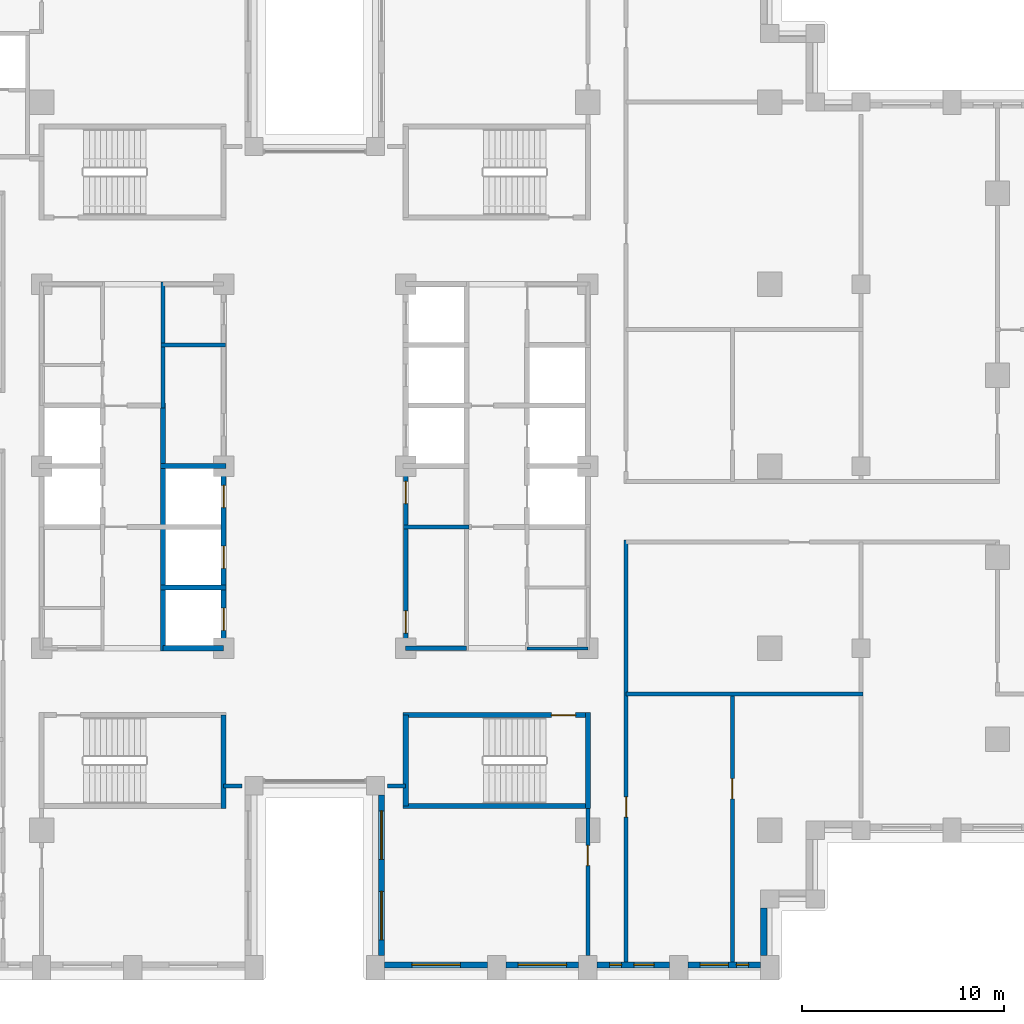
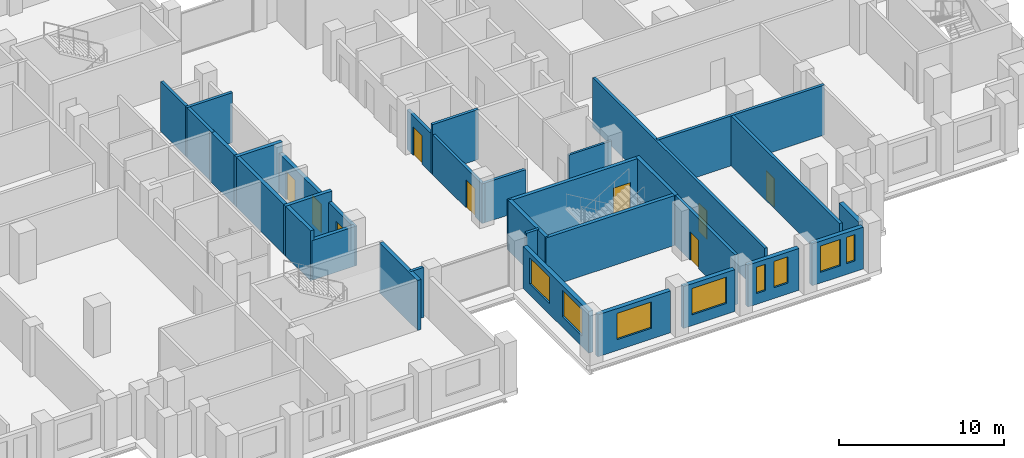
# One storey, part 8 of 16: 28 walls, 9 doors, 8 windows, 17 openings.
"""IFC4 building model written with IfcOpenShell, lengths in metres."""

from ifc_helpers import new_model, si_unit, direction, frame, frame_2d, origin, place, context, subcontext, project, spatial, rectangle, extrude, material, layer, layer_set, type_object, element, fill, save


model = new_model("IFC4")

# Units and contexts
model_context = context("Model", 3, precision=1e-05, world=origin(), true_north=direction((0.0, 1.0)))
body_context = subcontext(model_context, "Body", "Model", "MODEL_VIEW")
ifc_project = project(units=[si_unit("LENGTHUNIT", "METRE"), si_unit("AREAUNIT", "SQUARE_METRE"), si_unit("VOLUMEUNIT", "CUBIC_METRE"), si_unit("PLANEANGLEUNIT", "RADIAN"), si_unit("MASSUNIT", "GRAM", prefix="KILO")], contexts=[model_context])

# Site, building, storey
site_placement = place(None, origin())
site = spatial("IfcSite", under=ifc_project, at=site_placement, CompositionType="ELEMENT")
building_placement = place(site_placement, origin())
building = spatial("IfcBuilding", under=site, at=building_placement, Name="Corbelhall Arena Tower", CompositionType="ELEMENT")
storey_placement = place(building_placement, frame((0.0, 0.0, 76.0)))
storey = spatial("IfcBuildingStorey", under=building, at=storey_placement, Name="L11", CompositionType="ELEMENT", Elevation=76.0)

# Wall, openings, windows
ifc_material_1 = material(Name="Precast concrete C40/50 with granite facing", Category="masonry")
ifc_layer_1 = layer(ifc_material_1, 0.300048828125)
ifc_layer_set_1 = layer_set([ifc_layer_1], Name="EV-IW1 Infill panel 300")
wall_type_1 = type_object("IfcWallType", Name="EV-IW1 Infill panel 300", PredefinedType="SOLIDWALL", material=ifc_layer_set_1)
wall_1_placement = place(storey_placement, frame((3.300048828125, -16.25, 0.0), z_axis=(0.0, 0.0, 1.0), x_axis=(0.0, -1.0, 0.0)))
wall_1 = element("IfcWall", 1, at=wall_1_placement, inside=storey, type_object=wall_type_1, Name="Infill panel IW1", PredefinedType="SOLIDWALL", context=body_context, shape_type="SweptSolid", body=[
    extrude(rectangle(XDim=7.949951171875, YDim=0.300048828125, at=frame_2d((3.97509765625, 0.0))), origin(), (0.0, 0.0, 1.0), 3.10009765625),
])
opening_1_placement = place(wall_1_placement, frame((0.78759765625, 0.0, 0.800048828125)))
opening_1 = element("IfcOpeningElement", 2, at=opening_1_placement, cuts=wall_1, Name="Opening WN1", PredefinedType="OPENING", context=body_context, shape_type="SweptSolid", body=[
    extrude(rectangle(XDim=2.39990234375, YDim=1.949951171875, at=frame_2d((1.199951171875, 0.97509765625))), frame((0.0, 0.14990234375, 0.0), z_axis=(0.0, -1.0, 0.0), x_axis=(1.0, 0.0, 0.0)), (0.0, 0.0, 1.0), 0.300048828125),
])
opening_2_placement = place(wall_1_placement, frame((4.762451171875, 0.0, 0.800048828125)))
opening_2 = element("IfcOpeningElement", 3, at=opening_2_placement, cuts=wall_1, Name="Opening WN1", PredefinedType="OPENING", context=body_context, shape_type="SweptSolid", body=[
    extrude(rectangle(XDim=2.39990234375, YDim=1.949951171875, at=frame_2d((1.199951171875, 0.97509765625))), frame((0.0, 0.14990234375, 0.0), z_axis=(0.0, -1.0, 0.0), x_axis=(1.0, 0.0, 0.0)), (0.0, 0.0, 1.0), 0.300048828125),
])
ifc_material_2 = material(Name="Aluminium black anodised", Category="aluminium")
window_type_1 = type_object("IfcWindowType", Name="EV-WN1 Office window", PartitioningType="SINGLE_PANEL", PredefinedType="WINDOW", material=ifc_material_2)
window_1_placement = place(opening_1_placement, origin())
window_1 = element("IfcWindow", 4, at=window_1_placement, inside=storey, type_object=window_type_1, Name="Window WN1", OverallHeight=1.949951171875, OverallWidth=2.39990234375, PartitioningType="SINGLE_PANEL", PredefinedType="WINDOW", context=body_context, shape_type="SweptSolid", body=[
    extrude(rectangle(XDim=2.39990234375, YDim=1.949951171875, at=frame_2d((1.199951171875, 0.97509765625))), frame((0.0, 0.030029296875, 0.0), z_axis=(0.0, -1.0, 0.0), x_axis=(1.0, 0.0, 0.0)), (0.0, 0.0, 1.0), 0.06005859375),
])
fill(opening_1, window_1)
window_2_placement = place(opening_2_placement, origin())
window_2 = element("IfcWindow", 5, at=window_2_placement, inside=storey, type_object=window_type_1, Name="Window WN1", OverallHeight=1.949951171875, OverallWidth=2.39990234375, PartitioningType="SINGLE_PANEL", PredefinedType="WINDOW", context=body_context, shape_type="SweptSolid", body=[
    extrude(rectangle(XDim=2.39990234375, YDim=1.949951171875, at=frame_2d((1.199951171875, 0.97509765625))), frame((0.0, 0.030029296875, 0.0), z_axis=(0.0, -1.0, 0.0), x_axis=(1.0, 0.0, 0.0)), (0.0, 0.0, 1.0), 0.06005859375),
])
fill(opening_2, window_2)

# Wall, opening, window
wall_2_placement = place(storey_placement, frame((3.449951171875, -24.64990234375, 0.0), z_axis=(0.0, 0.0, 1.0), x_axis=(1.0, 0.0, 0.0)))
wall_2 = element("IfcWall", 6, at=wall_2_placement, inside=storey, type_object=wall_type_1, Name="Infill panel IW1", PredefinedType="SOLIDWALL", context=body_context, shape_type="SweptSolid", body=[
    extrude(rectangle(XDim=5.10009765625, YDim=0.300048828125, at=frame_2d((2.550048828125, 0.0))), origin(), (0.0, 0.0, 1.0), 3.10009765625),
])
opening_3_placement = place(wall_2_placement, frame((1.35009765625, 0.0, 0.800048828125)))
opening_3 = element("IfcOpeningElement", 7, at=opening_3_placement, cuts=wall_2, Name="Opening WN1", PredefinedType="OPENING", context=body_context, shape_type="SweptSolid", body=[
    extrude(rectangle(XDim=2.39990234375, YDim=1.949951171875, at=frame_2d((1.199951171875, 0.97509765625))), frame((0.0, 0.14990234375, 0.0), z_axis=(0.0, -1.0, 0.0), x_axis=(1.0, 0.0, 0.0)), (0.0, 0.0, 1.0), 0.300048828125),
])
window_3_placement = place(opening_3_placement, origin())
window_3 = element("IfcWindow", 8, at=window_3_placement, inside=storey, type_object=window_type_1, Name="Window WN1", OverallHeight=1.949951171875, OverallWidth=2.39990234375, PartitioningType="SINGLE_PANEL", PredefinedType="WINDOW", context=body_context, shape_type="SweptSolid", body=[
    extrude(rectangle(XDim=2.39990234375, YDim=1.949951171875, at=frame_2d((1.199951171875, 0.97509765625))), frame((0.0, 0.030029296875, 0.0), z_axis=(0.0, -1.0, 0.0), x_axis=(1.0, 0.0, 0.0)), (0.0, 0.0, 1.0), 0.06005859375),
])
fill(opening_3, window_3)

wall_3_placement = place(storey_placement, frame((9.449951171875, -24.64990234375, 0.0), z_axis=(0.0, 0.0, 1.0), x_axis=(1.0, 0.0, 0.0)))
wall_3 = element("IfcWall", 9, at=wall_3_placement, inside=storey, type_object=wall_type_1, Name="Infill panel IW1", PredefinedType="SOLIDWALL", context=body_context, shape_type="SweptSolid", body=[
    extrude(rectangle(XDim=3.60009765625, YDim=0.300048828125, at=frame_2d((1.800048828125, 0.0))), origin(), (0.0, 0.0, 1.0), 3.10009765625),
])
opening_4_placement = place(wall_3_placement, frame((0.60009765625, 0.0, 0.800048828125)))
opening_4 = element("IfcOpeningElement", 10, at=opening_4_placement, cuts=wall_3, Name="Opening WN1", PredefinedType="OPENING", context=body_context, shape_type="SweptSolid", body=[
    extrude(rectangle(XDim=2.39990234375, YDim=1.949951171875, at=frame_2d((1.199951171875, 0.97509765625))), frame((0.0, 0.14990234375, 0.0), z_axis=(0.0, -1.0, 0.0), x_axis=(1.0, 0.0, 0.0)), (0.0, 0.0, 1.0), 0.300048828125),
])
window_4_placement = place(opening_4_placement, origin())
window_4 = element("IfcWindow", 11, at=window_4_placement, inside=storey, type_object=window_type_1, Name="Window WN1", OverallHeight=1.949951171875, OverallWidth=2.39990234375, PartitioningType="SINGLE_PANEL", PredefinedType="WINDOW", context=body_context, shape_type="SweptSolid", body=[
    extrude(rectangle(XDim=2.39990234375, YDim=1.949951171875, at=frame_2d((1.199951171875, 0.97509765625))), frame((0.0, 0.030029296875, 0.0), z_axis=(0.0, -1.0, 0.0), x_axis=(1.0, 0.0, 0.0)), (0.0, 0.0, 1.0), 0.06005859375),
])
fill(opening_4, window_4)

# Wall, openings, windows
wall_4_placement = place(storey_placement, frame((13.949951171875, -24.64990234375, 0.0), z_axis=(0.0, 0.0, 1.0), x_axis=(1.0, 0.0, 0.0)))
wall_4 = element("IfcWall", 12, at=wall_4_placement, inside=storey, type_object=wall_type_1, Name="Infill panel IW1", PredefinedType="SOLIDWALL", context=body_context, shape_type="SweptSolid", body=[
    extrude(rectangle(XDim=3.60009765625, YDim=0.300048828125, at=frame_2d((1.800048828125, 0.0))), origin(), (0.0, 0.0, 1.0), 3.10009765625),
])
opening_5_placement = place(wall_4_placement, frame((0.625, 0.0, 0.800048828125)))
opening_5 = element("IfcOpeningElement", 13, at=opening_5_placement, cuts=wall_4, Name="Opening WN5", PredefinedType="OPENING", context=body_context, shape_type="SweptSolid", body=[
    extrude(rectangle(XDim=0.60009765625, YDim=1.949951171875, at=frame_2d((0.300048828125, 0.97509765625))), frame((0.0, 0.14990234375, 0.0), z_axis=(0.0, -1.0, 0.0), x_axis=(1.0, 0.0, 0.0)), (0.0, 0.0, 1.0), 0.300048828125),
])
opening_6_placement = place(wall_4_placement, frame((1.824951171875, 0.0, 0.800048828125)))
opening_6 = element("IfcOpeningElement", 14, at=opening_6_placement, cuts=wall_4, Name="Opening WN6", PredefinedType="OPENING", context=body_context, shape_type="SweptSolid", body=[
    extrude(rectangle(XDim=1.0, YDim=1.949951171875, at=frame_2d((0.5, 0.97509765625))), frame((0.0, 0.14990234375, 0.0), z_axis=(0.0, -1.0, 0.0), x_axis=(1.0, 0.0, 0.0)), (0.0, 0.0, 1.0), 0.300048828125),
])
window_type_2 = type_object("IfcWindowType", Name="EV-WN5 Office window 600", PartitioningType="SINGLE_PANEL", PredefinedType="WINDOW", material=ifc_material_2)
window_5_placement = place(opening_5_placement, origin())
window_5 = element("IfcWindow", 15, at=window_5_placement, inside=storey, type_object=window_type_2, Name="Window WN5", OverallHeight=1.949951171875, OverallWidth=0.60009765625, PartitioningType="SINGLE_PANEL", PredefinedType="WINDOW", context=body_context, shape_type="SweptSolid", body=[
    extrude(rectangle(XDim=0.60009765625, YDim=1.949951171875, at=frame_2d((0.300048828125, 0.97509765625))), frame((0.0, 0.030029296875, 0.0), z_axis=(0.0, -1.0, 0.0), x_axis=(1.0, 0.0, 0.0)), (0.0, 0.0, 1.0), 0.06005859375),
])
fill(opening_5, window_5)
window_type_3 = type_object("IfcWindowType", Name="EV-WN6 Office window 1000", PartitioningType="SINGLE_PANEL", PredefinedType="WINDOW", material=ifc_material_2)
window_6_placement = place(opening_6_placement, origin())
window_6 = element("IfcWindow", 16, at=window_6_placement, inside=storey, type_object=window_type_3, Name="Window WN6", OverallHeight=1.949951171875, OverallWidth=1.0, PartitioningType="SINGLE_PANEL", PredefinedType="WINDOW", context=body_context, shape_type="SweptSolid", body=[
    extrude(rectangle(XDim=1.0, YDim=1.949951171875, at=frame_2d((0.5, 0.97509765625))), frame((0.0, 0.030029296875, 0.0), z_axis=(0.0, -1.0, 0.0), x_axis=(1.0, 0.0, 0.0)), (0.0, 0.0, 1.0), 0.06005859375),
])
fill(opening_6, window_6)

wall_5_placement = place(storey_placement, frame((18.449951171875, -24.64990234375, 0.0), z_axis=(0.0, 0.0, 1.0), x_axis=(1.0, 0.0, 0.0)))
wall_5 = element("IfcWall", 17, at=wall_5_placement, inside=storey, type_object=wall_type_1, Name="Infill panel IW1", PredefinedType="SOLIDWALL", context=body_context, shape_type="SweptSolid", body=[
    extrude(rectangle(XDim=3.60009765625, YDim=0.300048828125, at=frame_2d((1.800048828125, 0.0))), origin(), (0.0, 0.0, 1.0), 3.10009765625),
])
opening_7_placement = place(wall_5_placement, frame((0.60009765625, 0.0, 0.800048828125)))
opening_7 = element("IfcOpeningElement", 18, at=opening_7_placement, cuts=wall_5, Name="Opening WN7", PredefinedType="OPENING", context=body_context, shape_type="SweptSolid", body=[
    extrude(rectangle(XDim=1.39990234375, YDim=1.949951171875, at=frame_2d((0.699951171875, 0.97509765625))), frame((0.0, 0.14990234375, 0.0), z_axis=(0.0, -1.0, 0.0), x_axis=(1.0, 0.0, 0.0)), (0.0, 0.0, 1.0), 0.300048828125),
])
opening_8_placement = place(wall_5_placement, frame((2.39990234375, 0.0, 0.800048828125)))
opening_8 = element("IfcOpeningElement", 19, at=opening_8_placement, cuts=wall_5, Name="Opening WN5", PredefinedType="OPENING", context=body_context, shape_type="SweptSolid", body=[
    extrude(rectangle(XDim=0.60009765625, YDim=1.949951171875, at=frame_2d((0.300048828125, 0.97509765625))), frame((0.0, 0.14990234375, 0.0), z_axis=(0.0, -1.0, 0.0), x_axis=(1.0, 0.0, 0.0)), (0.0, 0.0, 1.0), 0.300048828125),
])
window_7_placement = place(opening_8_placement, origin())
window_7 = element("IfcWindow", 20, at=window_7_placement, inside=storey, type_object=window_type_2, Name="Window WN5", OverallHeight=1.949951171875, OverallWidth=0.60009765625, PartitioningType="SINGLE_PANEL", PredefinedType="WINDOW", context=body_context, shape_type="SweptSolid", body=[
    extrude(rectangle(XDim=0.60009765625, YDim=1.949951171875, at=frame_2d((0.300048828125, 0.97509765625))), frame((0.0, 0.030029296875, 0.0), z_axis=(0.0, -1.0, 0.0), x_axis=(1.0, 0.0, 0.0)), (0.0, 0.0, 1.0), 0.06005859375),
])
fill(opening_8, window_7)
window_type_4 = type_object("IfcWindowType", Name="EV-WN7 Office window 1400", PartitioningType="SINGLE_PANEL", PredefinedType="WINDOW", material=ifc_material_2)
window_8_placement = place(opening_7_placement, origin())
window_8 = element("IfcWindow", 21, at=window_8_placement, inside=storey, type_object=window_type_4, Name="Window WN7", OverallHeight=1.949951171875, OverallWidth=1.39990234375, PartitioningType="SINGLE_PANEL", PredefinedType="WINDOW", context=body_context, shape_type="SweptSolid", body=[
    extrude(rectangle(XDim=1.39990234375, YDim=1.949951171875, at=frame_2d((0.699951171875, 0.97509765625))), frame((0.0, 0.030029296875, 0.0), z_axis=(0.0, -1.0, 0.0), x_axis=(1.0, 0.0, 0.0)), (0.0, 0.0, 1.0), 0.06005859375),
])
fill(opening_7, window_8)

# Walls
wall_6_placement = place(storey_placement, frame((22.199951171875, -24.199951171875, 0.0), z_axis=(0.0, 0.0, 1.0), x_axis=(0.0, 1.0, 0.0)))
element("IfcWall", 22, at=wall_6_placement, inside=storey, type_object=wall_type_1, Name="Infill panel IW1", PredefinedType="SOLIDWALL", context=body_context, shape_type="SweptSolid", body=[
    extrude(rectangle(XDim=2.349853515625, YDim=0.300048828125, at=frame_2d((1.1748046875, 0.0))), origin(), (0.0, 0.0, 1.0), 3.10009765625),
])
ifc_material_3 = material(Name="Gypsum board on steel stud, acoustic", Category="steel")
ifc_layer_2 = layer(ifc_material_3, 0.199951171875)
ifc_layer_set_2 = layer_set([ifc_layer_2], Name="IN-W-DM200")
wall_type_2 = type_object("IfcWallType", Name="IN-W-DM200", PredefinedType="PARTITIONING", material=ifc_layer_set_2)
for number, where, z_axis, x_axis, name in (
    (23, (-3.60009765625, -15.800048828125, 0.0), (0.0, 0.0, 1.0), (-1.0, 0.0, 0.0), "Partition 024"),
    (24, (4.5, -15.800048828125, 0.0), (0.0, 0.0, 1.0), (-1.0, 0.0, 0.0), "Partition 026"),
):
    element("IfcWall", number, at=place(storey_placement, frame(where, z_axis=z_axis, x_axis=x_axis)), inside=storey, type_object=wall_type_2, Name=name, PredefinedType="PARTITIONING", context=body_context, shape_type="SweptSolid", body=[
        extrude(rectangle(XDim=0.89990234375, YDim=0.199951171875, at=frame_2d((0.449951171875, 0.0))), origin(), (0.0, 0.0, 1.0), 3.699951171875),
    ])

# Wall, opening, door
wall_7_placement = place(storey_placement, frame((13.5, -24.199951171875, 0.0), z_axis=(0.0, 0.0, 1.0), x_axis=(0.0, 1.0, 0.0)))
wall_7 = element("IfcWall", 25, at=wall_7_placement, inside=storey, type_object=wall_type_2, Name="Partition 027", PredefinedType="PARTITIONING", context=body_context, shape_type="SweptSolid", body=[
    extrude(rectangle(XDim=7.52490234375, YDim=0.199951171875, at=frame_2d((3.762451171875, 0.0))), origin(), (0.0, 0.0, 1.0), 3.699951171875),
])
opening_9_placement = place(wall_7_placement, frame((4.449951171875, 0.0, 0.0)))
opening_9 = element("IfcOpeningElement", 26, at=opening_9_placement, cuts=wall_7, Name="Opening 01026", PredefinedType="OPENING", context=body_context, shape_type="SweptSolid", body=[
    extrude(rectangle(XDim=1.0, YDim=2.10009765625, at=frame_2d((0.5, 1.050048828125))), frame((0.0, 0.10009765625, 0.0), z_axis=(0.0, -1.0, 0.0), x_axis=(1.0, 0.0, 0.0)), (0.0, 0.0, 1.0), 0.199951171875),
])
ifc_material_4 = material(Name="Steel door set", Category="steel")
door_type_1 = type_object("IfcDoorType", Name="IN-D-SW100", OperationType="NOTDEFINED", PredefinedType="DOOR", material=ifc_material_4)
door_1_placement = place(opening_9_placement, origin())
door_1 = element("IfcDoor", 27, at=door_1_placement, inside=storey, type_object=door_type_1, Name="Door 026", OperationType="SINGLE_SWING_LEFT", OverallHeight=2.10009765625, OverallWidth=1.0, PredefinedType="DOOR", context=body_context, shape_type="SweptSolid", body=[
    extrude(rectangle(XDim=1.0, YDim=2.10009765625, at=frame_2d((0.5, 1.050048828125))), frame((0.0, 0.02490234375, 0.0), z_axis=(0.0, -1.0, 0.0), x_axis=(1.0, 0.0, 0.0)), (0.0, 0.0, 1.0), 0.050048828125),
])
fill(opening_9, door_1)

# Wall
wall_8_placement = place(storey_placement, frame((15.39990234375, -11.25, 0.0), z_axis=(0.0, 0.0, 1.0), x_axis=(1.0, 0.0, 0.0)))
element("IfcWall", 28, at=wall_8_placement, inside=storey, type_object=wall_type_2, Name="Partition 029", PredefinedType="PARTITIONING", context=body_context, shape_type="SweptSolid", body=[
    extrude(rectangle(XDim=11.7001953125, YDim=0.199951171875, at=frame_2d((5.85009765625, 0.0))), origin(), (0.0, 0.0, 1.0), 3.699951171875),
])

# Wall, opening, door
wall_9_placement = place(storey_placement, frame((15.39990234375, -3.64990234375, 0.0), z_axis=(0.0, 0.0, 1.0), x_axis=(0.0, -1.0, 0.0)))
wall_9 = element("IfcWall", 29, at=wall_9_placement, inside=storey, type_object=wall_type_2, Name="Partition 030", PredefinedType="PARTITIONING", context=body_context, shape_type="SweptSolid", body=[
    extrude(rectangle(XDim=20.85009765625, YDim=0.199951171875, at=frame_2d((10.425048828125, 0.0))), origin(), (0.0, 0.0, 1.0), 3.699951171875),
])
opening_10_placement = place(wall_9_placement, frame((12.699951171875, 0.0, 0.0)))
opening_10 = element("IfcOpeningElement", 30, at=opening_10_placement, cuts=wall_9, Name="Opening 01037", PredefinedType="OPENING", context=body_context, shape_type="SweptSolid", body=[
    extrude(rectangle(XDim=1.0, YDim=2.10009765625, at=frame_2d((0.5, 1.050048828125))), frame((0.0, 0.10009765625, 0.0), z_axis=(0.0, -1.0, 0.0), x_axis=(1.0, 0.0, 0.0)), (0.0, 0.0, 1.0), 0.199951171875),
])
door_2_placement = place(opening_10_placement, origin())
door_2 = element("IfcDoor", 31, at=door_2_placement, inside=storey, type_object=door_type_1, Name="Door 037", OperationType="SINGLE_SWING_RIGHT", OverallHeight=2.10009765625, OverallWidth=1.0, PredefinedType="DOOR", context=body_context, shape_type="SweptSolid", body=[
    extrude(rectangle(XDim=1.0, YDim=2.10009765625, at=frame_2d((0.5, 1.050048828125))), frame((0.0, 0.02490234375, 0.0), z_axis=(0.0, -1.0, 0.0), x_axis=(1.0, 0.0, 0.0)), (0.0, 0.0, 1.0), 0.050048828125),
])
fill(opening_10, door_2)

wall_10_placement = place(storey_placement, frame((20.64990234375, -11.14990234375, 0.0), z_axis=(0.0, 0.0, 1.0), x_axis=(0.0, -1.0, 0.0)))
wall_10 = element("IfcWall", 32, at=wall_10_placement, inside=storey, type_object=wall_type_2, Name="Partition 035", PredefinedType="PARTITIONING", context=body_context, shape_type="SweptSolid", body=[
    extrude(rectangle(XDim=13.35009765625, YDim=0.199951171875, at=frame_2d((6.675048828125, 0.0))), origin(), (0.0, 0.0, 1.0), 3.699951171875),
])
opening_11_placement = place(wall_10_placement, frame((4.300048828125, 0.0, 0.0)))
opening_11 = element("IfcOpeningElement", 33, at=opening_11_placement, cuts=wall_10, Name="Opening 01038", PredefinedType="OPENING", context=body_context, shape_type="SweptSolid", body=[
    extrude(rectangle(XDim=1.0, YDim=2.10009765625, at=frame_2d((0.5, 1.050048828125))), frame((0.0, 0.10009765625, 0.0), z_axis=(0.0, -1.0, 0.0), x_axis=(1.0, 0.0, 0.0)), (0.0, 0.0, 1.0), 0.199951171875),
])
door_3_placement = place(opening_11_placement, origin())
door_3 = element("IfcDoor", 34, at=door_3_placement, inside=storey, type_object=door_type_1, Name="Door 038", OperationType="SINGLE_SWING_LEFT", OverallHeight=2.10009765625, OverallWidth=1.0, PredefinedType="DOOR", context=body_context, shape_type="SweptSolid", body=[
    extrude(rectangle(XDim=1.0, YDim=2.10009765625, at=frame_2d((0.5, 1.050048828125))), frame((0.0, 0.02490234375, 0.0), z_axis=(0.0, -1.0, 0.0), x_axis=(1.0, 0.0, 0.0)), (0.0, 0.0, 1.0), 0.050048828125),
])
fill(opening_11, door_3)

# Walls
ifc_material_5 = material(Name="Concrete block wall", Category="concrete")
ifc_layer_3 = layer(ifc_material_5, 0.199951171875)
ifc_layer_set_3 = layer_set([ifc_layer_3], Name="IN-W-RS200")
wall_type_3 = type_object("IfcWallType", Name="IN-W-RS200", PredefinedType="SOLIDWALL", material=ifc_layer_set_3)
wall_11_placement = place(storey_placement, frame((-7.60009765625, 6.0, 0.0), z_axis=(0.0, 0.0, 1.0), x_axis=(1.0, 0.0, 0.0)))
element("IfcWall", 35, at=wall_11_placement, inside=storey, type_object=wall_type_3, Name="Partition 049", PredefinedType="SOLIDWALL", context=body_context, shape_type="SweptSolid", body=[
    extrude(rectangle(XDim=3.2001953125, YDim=0.199951171875, at=frame_2d((1.60009765625, 0.0))), origin(), (0.0, 0.0, 1.0), 3.699951171875),
])
wall_12_placement = place(storey_placement, frame((-7.5, 2.875, 0.0), z_axis=(0.0, 0.0, 1.0), x_axis=(0.0, 1.0, 0.0)))
element("IfcWall", 36, at=wall_12_placement, inside=storey, type_object=wall_type_3, Name="Partition 050", PredefinedType="SOLIDWALL", context=body_context, shape_type="SweptSolid", body=[
    extrude(rectangle(XDim=6.22509765625, YDim=0.199951171875, at=frame_2d((3.112548828125, 0.0))), origin(), (0.0, 0.0, 1.0), 3.699951171875),
])
wall_13_placement = place(storey_placement, frame((4.39990234375, -3.0, 0.0), z_axis=(0.0, 0.0, 1.0), x_axis=(1.0, 0.0, 0.0)))
element("IfcWall", 37, at=wall_13_placement, inside=storey, type_object=wall_type_3, Name="Partition 053", PredefinedType="SOLIDWALL", context=body_context, shape_type="SweptSolid", body=[
    extrude(rectangle(XDim=3.22509765625, YDim=0.199951171875, at=frame_2d((1.612548828125, 0.0))), origin(), (0.0, 0.0, 1.0), 3.699951171875),
])

# Wall, openings, doors
ifc_layer_4 = layer(ifc_material_5, 0.199951171875)
ifc_layer_set_4 = layer_set([ifc_layer_4], Name="IN-W-RS200 under beam 762 mm")
wall_type_4 = type_object("IfcWallType", Name="IN-W-RS200 under beam 762 mm", PredefinedType="SOLIDWALL", material=ifc_layer_set_4)
wall_14_placement = place(storey_placement, frame((4.5, -9.10009765625, 0.0), z_axis=(0.0, 0.0, 1.0), x_axis=(0.0, 1.0, 0.0)))
wall_14 = element("IfcWall", 38, at=wall_14_placement, inside=storey, type_object=wall_type_4, Name="Partition 054", PredefinedType="SOLIDWALL", context=body_context, shape_type="SweptSolid", body=[
    extrude(rectangle(XDim=9.10009765625, YDim=0.199951171875, at=frame_2d((4.550048828125, 0.0))), origin(), (0.0, 0.0, 1.0), 2.93798828125),
])
opening_12_placement = place(wall_14_placement, frame((0.85009765625, 0.0, 0.0)))
opening_12 = element("IfcOpeningElement", 39, at=opening_12_placement, cuts=wall_14, Name="Opening 01008", PredefinedType="OPENING", context=body_context, shape_type="SweptSolid", body=[
    extrude(rectangle(XDim=1.10009765625, YDim=2.10009765625, at=frame_2d((0.550048828125, 1.050048828125))), frame((0.0, 0.10009765625, 0.0), z_axis=(0.0, -1.0, 0.0), x_axis=(1.0, 0.0, 0.0)), (0.0, 0.0, 1.0), 0.199951171875),
])
opening_13_placement = place(wall_14_placement, frame((7.25, 0.0, 0.0)))
opening_13 = element("IfcOpeningElement", 40, at=opening_13_placement, cuts=wall_14, Name="Opening 01009", PredefinedType="OPENING", context=body_context, shape_type="SweptSolid", body=[
    extrude(rectangle(XDim=1.10009765625, YDim=2.10009765625, at=frame_2d((0.550048828125, 1.050048828125))), frame((0.0, 0.10009765625, 0.0), z_axis=(0.0, -1.0, 0.0), x_axis=(1.0, 0.0, 0.0)), (0.0, 0.0, 1.0), 0.199951171875),
])
door_type_2 = type_object("IfcDoorType", Name="IN-D-FD110", OperationType="NOTDEFINED", PredefinedType="DOOR", material=ifc_material_4)
door_4_placement = place(opening_12_placement, origin())
door_4 = element("IfcDoor", 41, at=door_4_placement, inside=storey, type_object=door_type_2, Name="Door 008", OperationType="SINGLE_SWING_LEFT", OverallHeight=2.10009765625, OverallWidth=1.10009765625, PredefinedType="DOOR", context=body_context, shape_type="SweptSolid", body=[
    extrude(rectangle(XDim=1.10009765625, YDim=2.10009765625, at=frame_2d((0.550048828125, 1.050048828125))), frame((0.0, 0.02490234375, 0.0), z_axis=(0.0, -1.0, 0.0), x_axis=(1.0, 0.0, 0.0)), (0.0, 0.0, 1.0), 0.050048828125),
])
fill(opening_12, door_4)
door_5_placement = place(opening_13_placement, origin())
door_5 = element("IfcDoor", 42, at=door_5_placement, inside=storey, type_object=door_type_2, Name="Door 009", OperationType="SINGLE_SWING_RIGHT", OverallHeight=2.10009765625, OverallWidth=1.10009765625, PredefinedType="DOOR", context=body_context, shape_type="SweptSolid", body=[
    extrude(rectangle(XDim=1.10009765625, YDim=2.10009765625, at=frame_2d((0.550048828125, 1.050048828125))), frame((0.0, 0.02490234375, 0.0), z_axis=(0.0, -1.0, 0.0), x_axis=(1.0, 0.0, 0.0)), (0.0, 0.0, 1.0), 0.050048828125),
])
fill(opening_13, door_5)

# Walls
wall_15_placement = place(storey_placement, frame((7.5, -9.0, 0.0), z_axis=(0.0, 0.0, 1.0), x_axis=(-1.0, 0.0, 0.0)))
element("IfcWall", 43, at=wall_15_placement, inside=storey, type_object=wall_type_4, Name="Partition 055", PredefinedType="SOLIDWALL", context=body_context, shape_type="SweptSolid", body=[
    extrude(rectangle(XDim=3.0, YDim=0.199951171875, at=frame_2d((1.5, 0.0))), origin(), (0.0, 0.0, 1.0), 2.93798828125),
])
ifc_material_6 = material(Name="Concrete C40/50", Category="concrete")
ifc_layer_5 = layer(ifc_material_6, 0.25)
ifc_layer_set_5 = layer_set([ifc_layer_5], Name="IN-W-SH250")
wall_type_5 = type_object("IfcWallType", Name="IN-W-SH250", PredefinedType="SOLIDWALL", material=ifc_layer_set_5)
for number, where, z_axis, x_axis, name in (
    (44, (-7.625, -6.0, 0.0), (0.0, 0.0, 1.0), (1.0, 0.0, 0.0), "Shaft wall 067"),
    (45, (-7.625, 0.0, 0.0), (0.0, 0.0, 1.0), (1.0, 0.0, 0.0), "Shaft wall 068"),
):
    element("IfcWall", number, at=place(storey_placement, frame(where, z_axis=z_axis, x_axis=x_axis)), inside=storey, type_object=wall_type_5, Name=name, PredefinedType="SOLIDWALL", context=body_context, shape_type="SweptSolid", body=[
        extrude(rectangle(XDim=3.25, YDim=0.25, at=frame_2d((1.625, 0.0))), origin(), (0.0, 0.0, 1.0), 3.699951171875),
    ])
wall_16_placement = place(storey_placement, frame((-7.5, -9.125, 0.0), z_axis=(0.0, 0.0, 1.0), x_axis=(0.0, 1.0, 0.0)))
element("IfcWall", 46, at=wall_16_placement, inside=storey, type_object=wall_type_5, Name="Shaft wall 069", PredefinedType="SOLIDWALL", context=body_context, shape_type="SweptSolid", body=[
    extrude(rectangle(XDim=12.25, YDim=0.25, at=frame_2d((6.125, 0.0))), origin(), (0.0, 0.0, 1.0), 3.699951171875),
])
ifc_layer_6 = layer(ifc_material_6, 0.25)
ifc_layer_set_6 = layer_set([ifc_layer_6], Name="IN-W-SH250 under beam 762 mm")
wall_type_6 = type_object("IfcWallType", Name="IN-W-SH250 under beam 762 mm", PredefinedType="SOLIDWALL", material=ifc_layer_set_6)
wall_17_placement = place(storey_placement, frame((-4.5, -9.0, 0.0), z_axis=(0.0, 0.0, 1.0), x_axis=(-1.0, 0.0, 0.0)))
element("IfcWall", 47, at=wall_17_placement, inside=storey, type_object=wall_type_6, Name="Shaft wall 070", PredefinedType="SOLIDWALL", context=body_context, shape_type="SweptSolid", body=[
    extrude(rectangle(XDim=3.0, YDim=0.25, at=frame_2d((1.5, 0.0))), origin(), (0.0, 0.0, 1.0), 2.93798828125),
])

# Wall, openings, doors
wall_18_placement = place(storey_placement, frame((-4.5, 0.0, 0.0), z_axis=(0.0, 0.0, 1.0), x_axis=(0.0, -1.0, 0.0)))
wall_18 = element("IfcWall", 48, at=wall_18_placement, inside=storey, type_object=wall_type_6, Name="Shaft wall 071", PredefinedType="SOLIDWALL", context=body_context, shape_type="SweptSolid", body=[
    extrude(rectangle(XDim=9.125, YDim=0.25, at=frame_2d((4.5625, 0.0))), origin(), (0.0, 0.0, 1.0), 2.93798828125),
])
opening_14_placement = place(wall_18_placement, frame((7.012451171875, 0.0, 0.0)))
opening_14 = element("IfcOpeningElement", 49, at=opening_14_placement, cuts=wall_18, Name="Opening LD", PredefinedType="OPENING", context=body_context, shape_type="SweptSolid", body=[
    extrude(rectangle(XDim=1.10009765625, YDim=2.10009765625, at=frame_2d((0.550048828125, 1.050048828125))), frame((0.0, 0.125, 0.0), z_axis=(0.0, -1.0, 0.0), x_axis=(1.0, 0.0, 0.0)), (0.0, 0.0, 1.0), 0.25),
])
opening_15_placement = place(wall_18_placement, frame((3.949951171875, 0.0, 0.0)))
opening_15 = element("IfcOpeningElement", 50, at=opening_15_placement, cuts=wall_18, Name="Opening LD", PredefinedType="OPENING", context=body_context, shape_type="SweptSolid", body=[
    extrude(rectangle(XDim=1.10009765625, YDim=2.10009765625, at=frame_2d((0.550048828125, 1.050048828125))), frame((0.0, 0.125, 0.0), z_axis=(0.0, -1.0, 0.0), x_axis=(1.0, 0.0, 0.0)), (0.0, 0.0, 1.0), 0.25),
])
opening_16_placement = place(wall_18_placement, frame((0.949951171875, 0.0, 0.0)))
opening_16 = element("IfcOpeningElement", 51, at=opening_16_placement, cuts=wall_18, Name="Opening LD", PredefinedType="OPENING", context=body_context, shape_type="SweptSolid", body=[
    extrude(rectangle(XDim=1.10009765625, YDim=2.10009765625, at=frame_2d((0.550048828125, 1.050048828125))), frame((0.0, 0.125, 0.0), z_axis=(0.0, -1.0, 0.0), x_axis=(1.0, 0.0, 0.0)), (0.0, 0.0, 1.0), 0.25),
])
door_type_3 = type_object("IfcDoorType", Name="IN-D-LD110", OperationType="NOTDEFINED", PredefinedType="DOOR", material=ifc_material_4)
door_6_placement = place(opening_14_placement, origin())
door_6 = element("IfcDoor", 52, at=door_6_placement, inside=storey, type_object=door_type_3, Name="Landing door W1", OperationType="SLIDING_TO_LEFT", OverallHeight=2.10009765625, OverallWidth=1.10009765625, PredefinedType="DOOR", context=body_context, shape_type="SweptSolid", body=[
    extrude(rectangle(XDim=1.10009765625, YDim=2.10009765625, at=frame_2d((0.550048828125, 1.050048828125))), frame((0.0, 0.02490234375, 0.0), z_axis=(0.0, -1.0, 0.0), x_axis=(1.0, 0.0, 0.0)), (0.0, 0.0, 1.0), 0.050048828125),
])
fill(opening_14, door_6)
door_7_placement = place(opening_15_placement, origin())
door_7 = element("IfcDoor", 53, at=door_7_placement, inside=storey, type_object=door_type_3, Name="Landing door W2", OperationType="SLIDING_TO_LEFT", OverallHeight=2.10009765625, OverallWidth=1.10009765625, PredefinedType="DOOR", context=body_context, shape_type="SweptSolid", body=[
    extrude(rectangle(XDim=1.10009765625, YDim=2.10009765625, at=frame_2d((0.550048828125, 1.050048828125))), frame((0.0, 0.02490234375, 0.0), z_axis=(0.0, -1.0, 0.0), x_axis=(1.0, 0.0, 0.0)), (0.0, 0.0, 1.0), 0.050048828125),
])
fill(opening_15, door_7)
door_8_placement = place(opening_16_placement, origin())
door_8 = element("IfcDoor", 54, at=door_8_placement, inside=storey, type_object=door_type_3, Name="Landing door W3", OperationType="SLIDING_TO_LEFT", OverallHeight=2.10009765625, OverallWidth=1.10009765625, PredefinedType="DOOR", context=body_context, shape_type="SweptSolid", body=[
    extrude(rectangle(XDim=1.10009765625, YDim=2.10009765625, at=frame_2d((0.550048828125, 1.050048828125))), frame((0.0, 0.02490234375, 0.0), z_axis=(0.0, -1.0, 0.0), x_axis=(1.0, 0.0, 0.0)), (0.0, 0.0, 1.0), 0.050048828125),
])
fill(opening_16, door_8)

# Walls
ifc_layer_7 = layer(ifc_material_6, 0.25)
ifc_layer_set_7 = layer_set([ifc_layer_7], Name="IN-W-ST250")
wall_type_7 = type_object("IfcWallType", Name="IN-W-ST250", PredefinedType="SOLIDWALL", material=ifc_layer_set_7)
wall_19_placement = place(storey_placement, frame((-4.5, -12.300048828125, 0.0), z_axis=(0.0, 0.0, 1.0), x_axis=(0.0, -1.0, 0.0)))
element("IfcWall", 55, at=wall_19_placement, inside=storey, type_object=wall_type_7, Name="Shaft wall 094", PredefinedType="SOLIDWALL", context=body_context, shape_type="SweptSolid", body=[
    extrude(rectangle(XDim=4.625, YDim=0.25, at=frame_2d((2.3125, 0.0))), origin(), (0.0, 0.0, 1.0), 3.699951171875),
])
wall_20_placement = place(storey_placement, frame((4.5, -16.800048828125, 0.0), z_axis=(0.0, 0.0, 1.0), x_axis=(0.0, 1.0, 0.0)))
element("IfcWall", 56, at=wall_20_placement, inside=storey, type_object=wall_type_7, Name="Shaft wall 099", PredefinedType="SOLIDWALL", context=body_context, shape_type="SweptSolid", body=[
    extrude(rectangle(XDim=4.5, YDim=0.25, at=frame_2d((2.25, 0.0))), origin(), (0.0, 0.0, 1.0), 3.699951171875),
])
wall_21_placement = place(storey_placement, frame((13.5, -16.925048828125, 0.0), z_axis=(0.0, 0.0, 1.0), x_axis=(0.0, 1.0, 0.0)))
element("IfcWall", 57, at=wall_21_placement, inside=storey, type_object=wall_type_7, Name="Shaft wall 101", PredefinedType="SOLIDWALL", context=body_context, shape_type="SweptSolid", body=[
    extrude(rectangle(XDim=4.75, YDim=0.25, at=frame_2d((2.375, 0.0))), origin(), (0.0, 0.0, 1.0), 3.699951171875),
])
wall_22_placement = place(storey_placement, frame((13.5, -16.800048828125, 0.0), z_axis=(0.0, 0.0, 1.0), x_axis=(-1.0, 0.0, 0.0)))
element("IfcWall", 58, at=wall_22_placement, inside=storey, type_object=wall_type_7, Name="Shaft wall 102", PredefinedType="SOLIDWALL", context=body_context, shape_type="SweptSolid", body=[
    extrude(rectangle(XDim=9.125, YDim=0.25, at=frame_2d((4.5625, 0.0))), origin(), (0.0, 0.0, 1.0), 3.699951171875),
])

# Wall, opening, door
wall_23_placement = place(storey_placement, frame((13.5, -12.300048828125, 0.0), z_axis=(0.0, 0.0, 1.0), x_axis=(-1.0, 0.0, 0.0)))
wall_23 = element("IfcWall", 59, at=wall_23_placement, inside=storey, type_object=wall_type_7, Name="Shaft wall 103", PredefinedType="SOLIDWALL", context=body_context, shape_type="SweptSolid", body=[
    extrude(rectangle(XDim=9.125, YDim=0.25, at=frame_2d((4.5625, 0.0))), origin(), (0.0, 0.0, 1.0), 3.699951171875),
])
opening_17_placement = place(wall_23_placement, frame((0.60009765625, 0.0, 0.0)))
opening_17 = element("IfcOpeningElement", 60, at=opening_17_placement, cuts=wall_23, Name="Opening 01018", PredefinedType="OPENING", context=body_context, shape_type="SweptSolid", body=[
    extrude(rectangle(XDim=1.199951171875, YDim=2.10009765625, at=frame_2d((0.60009765625, 1.050048828125))), frame((0.0, 0.125, 0.0), z_axis=(0.0, -1.0, 0.0), x_axis=(1.0, 0.0, 0.0)), (0.0, 0.0, 1.0), 0.25),
])
door_type_4 = type_object("IfcDoorType", Name="IN-D-ST120", OperationType="NOTDEFINED", PredefinedType="DOOR", material=ifc_material_4)
door_9_placement = place(opening_17_placement, origin())
door_9 = element("IfcDoor", 61, at=door_9_placement, inside=storey, type_object=door_type_4, Name="Door 018", OperationType="SINGLE_SWING_LEFT", OverallHeight=2.10009765625, OverallWidth=1.199951171875, PredefinedType="DOOR", context=body_context, shape_type="SweptSolid", body=[
    extrude(rectangle(XDim=1.199951171875, YDim=2.10009765625, at=frame_2d((0.60009765625, 1.050048828125))), frame((0.0, 0.02490234375, 0.0), z_axis=(0.0, -1.0, 0.0), x_axis=(1.0, 0.0, 0.0)), (0.0, 0.0, 1.0), 0.050048828125),
])
fill(opening_17, door_9)

# Wall
ifc_material_7 = material(Name="Gypsum board on steel stud, moisture resistant", Category="steel")
ifc_layer_8 = layer(ifc_material_7, 0.14990234375)
ifc_layer_set_8 = layer_set([ifc_layer_8], Name="IN-W-WC150 under beam 762 mm")
wall_type_8 = type_object("IfcWallType", Name="IN-W-WC150 under beam 762 mm", PredefinedType="PARTITIONING", material=ifc_layer_set_8)
wall_24_placement = place(storey_placement, frame((13.5, -9.0, 0.0), z_axis=(0.0, 0.0, 1.0), x_axis=(-1.0, 0.0, 0.0)))
element("IfcWall", 62, at=wall_24_placement, inside=storey, type_object=wall_type_8, Name="Partition 120", PredefinedType="PARTITIONING", context=body_context, shape_type="SweptSolid", body=[
    extrude(rectangle(XDim=3.0, YDim=0.14990234375, at=frame_2d((1.5, 0.0))), origin(), (0.0, 0.0, 1.0), 2.93798828125),
])

save(model, "model.ifc")
